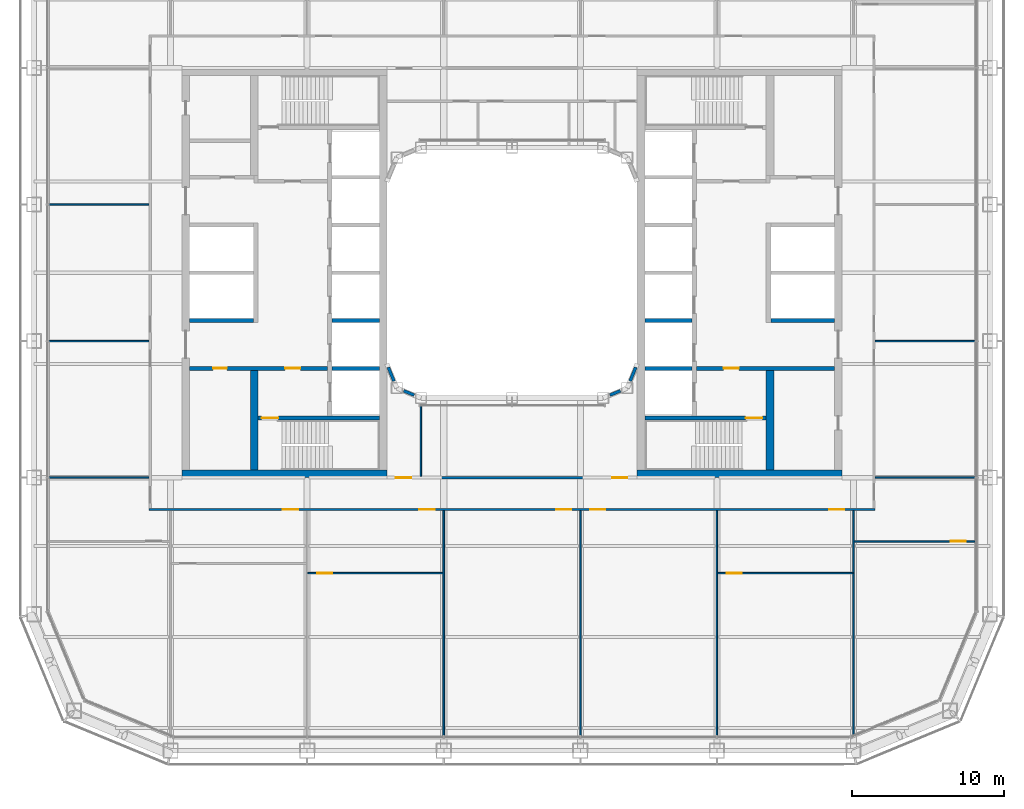
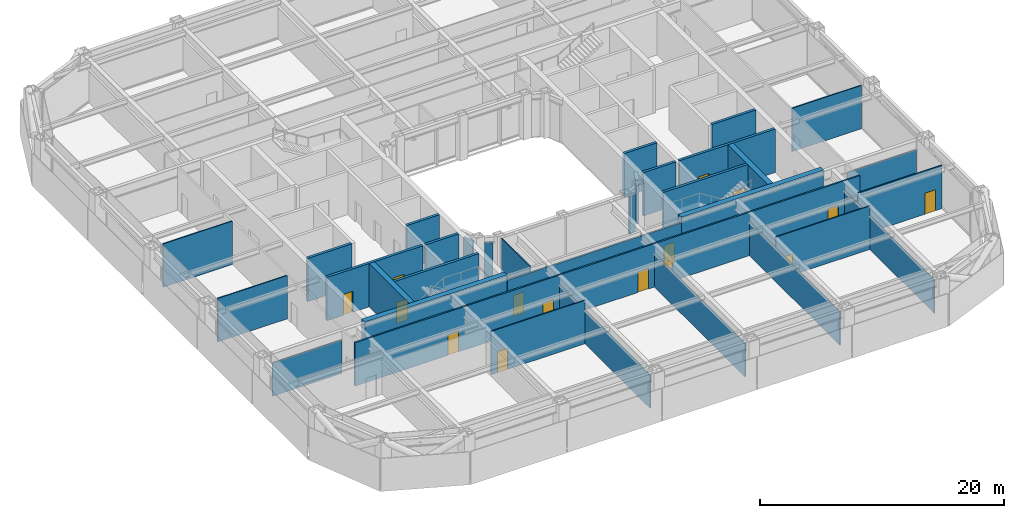
# One storey, part 12 of 25: 33 walls, 15 doors, 15 openings.
"""IFC4 building model written with IfcOpenShell, lengths in metres."""

from ifc_helpers import new_model, si_unit, direction, frame, frame_2d, origin, place, context, subcontext, project, spatial, rectangle, extrude, material, layer, layer_set, type_object, element, fill, save


model = new_model("IFC4")

# Units and contexts
model_context = context("Model", 3, precision=1e-05, world=origin(), true_north=direction((0.0, 1.0)))
body_context = subcontext(model_context, "Body", "Model", "MODEL_VIEW")
ifc_project = project(units=[si_unit("LENGTHUNIT", "METRE"), si_unit("AREAUNIT", "SQUARE_METRE"), si_unit("VOLUMEUNIT", "CUBIC_METRE"), si_unit("PLANEANGLEUNIT", "RADIAN"), si_unit("MASSUNIT", "GRAM", prefix="KILO")], contexts=[model_context])

# Site, building, storey
site_placement = place(None, origin())
site = spatial("IfcSite", under=ifc_project, at=site_placement, CompositionType="ELEMENT")
building_placement = place(site_placement, origin())
building = spatial("IfcBuilding", under=site, at=building_placement, Name="Siwar Civic Tower", CompositionType="ELEMENT")
storey_placement = place(building_placement, frame((0.0, 0.0, 58.199951171875)))
storey = spatial("IfcBuildingStorey", under=building, at=storey_placement, Name="L12", CompositionType="ELEMENT", Elevation=58.199951171875)

# Wall, openings, doors
ifc_material_1 = material(Name="Concrete C60/75", Category="concrete")
ifc_layer_1 = layer(ifc_material_1, 0.25)
ifc_layer_set_1 = layer_set([ifc_layer_1], Name="Concrete C60/75")
wall_type_1 = type_object("IfcWallType", Name="CORE-WALL-RC250", PredefinedType="SHEAR", material=ifc_layer_set_1)
wall_1_placement = place(storey_placement, frame((-12.14990234375, -6.300048828125, 0.0), z_axis=(0.0, 0.0, 1.0), x_axis=(-1.0, 0.0, 0.0)))
wall_1 = element("IfcWall", 1, at=wall_1_placement, inside=storey, type_object=wall_type_1, Name="Core wall W", PredefinedType="SHEAR", context=body_context, shape_type="SweptSolid", body=[
    extrude(rectangle(XDim=9.10009765625, YDim=0.25, at=frame_2d((4.550048828125, 0.0))), origin(), (0.0, 0.0, 1.0), 4.35009765625),
])
opening_1_placement = place(wall_1_placement, frame((1.800048828125, 0.0, 0.0)))
opening_1 = element("IfcOpeningElement", 2, at=opening_1_placement, cuts=wall_1, Name="Opening L12-CW02", PredefinedType="OPENING", context=body_context, shape_type="SweptSolid", body=[
    extrude(rectangle(XDim=1.0, YDim=2.10009765625, at=frame_2d((0.5, 1.050048828125))), frame((0.0, 0.135009765625, 0.0), z_axis=(0.0, -1.0, 0.0), x_axis=(1.0, 0.0, 0.0)), (0.0, 0.0, 1.0), 0.27001953125),
])
opening_2_placement = place(wall_1_placement, frame((6.64990234375, 0.0, 0.0)))
opening_2 = element("IfcOpeningElement", 3, at=opening_2_placement, cuts=wall_1, Name="Opening L12-CW15", PredefinedType="OPENING", context=body_context, shape_type="SweptSolid", body=[
    extrude(rectangle(XDim=0.89990234375, YDim=2.10009765625, at=frame_2d((0.449951171875, 1.050048828125))), frame((0.0, 0.135009765625, 0.0), z_axis=(0.0, -1.0, 0.0), x_axis=(1.0, 0.0, 0.0)), (0.0, 0.0, 1.0), 0.27001953125),
])
ifc_material_2 = material(Name="Steel door leaf", Category="steel")
door_type_1 = type_object("IfcDoorType", Name="CORE-DOOR-FD30S", OperationType="SINGLE_SWING_LEFT", PredefinedType="DOOR", material=ifc_material_2)
door_1_placement = place(opening_1_placement, origin())
door_1 = element("IfcDoor", 4, at=door_1_placement, inside=storey, type_object=door_type_1, Name="Service lobby door L12-CW02", OperationType="SINGLE_SWING_RIGHT", OverallHeight=2.10009765625, OverallWidth=1.0, PredefinedType="DOOR", context=body_context, shape_type="SweptSolid", body=[
    extrude(rectangle(XDim=1.0, YDim=2.10009765625, at=frame_2d((0.5, 1.050048828125))), frame((0.0, 0.02490234375, 0.0), z_axis=(0.0, -1.0, 0.0), x_axis=(1.0, 0.0, 0.0)), (0.0, 0.0, 1.0), 0.050048828125),
])
fill(opening_1, door_1)
ifc_material_3 = material(Name="Steel door leaf", Category="steel")
door_type_2 = type_object("IfcDoorType", Name="CORE-DOOR-ROOM", OperationType="SINGLE_SWING_LEFT", PredefinedType="DOOR", material=ifc_material_3)
door_2_placement = place(opening_2_placement, origin())
door_2 = element("IfcDoor", 5, at=door_2_placement, inside=storey, type_object=door_type_2, Name="Core room door L12-CW15", OperationType="SINGLE_SWING_RIGHT", OverallHeight=2.10009765625, OverallWidth=0.89990234375, PredefinedType="DOOR", context=body_context, shape_type="SweptSolid", body=[
    extrude(rectangle(XDim=0.89990234375, YDim=2.10009765625, at=frame_2d((0.449951171875, 1.050048828125))), frame((0.0, 0.02490234375, 0.0), z_axis=(0.0, -1.0, 0.0), x_axis=(1.0, 0.0, 0.0)), (0.0, 0.0, 1.0), 0.050048828125),
])
fill(opening_2, door_2)

# Walls
wall_2_placement = place(storey_placement, frame((-17.050048828125, -3.14990234375, 0.0), z_axis=(0.0, 0.0, 1.0), x_axis=(-1.0, 0.0, 0.0)))
element("IfcWall", 6, at=wall_2_placement, inside=storey, type_object=wall_type_1, Name="Core wall W", PredefinedType="SHEAR", context=body_context, shape_type="SweptSolid", body=[
    extrude(rectangle(XDim=4.199951171875, YDim=0.25, at=frame_2d((2.10009765625, 0.0))), origin(), (0.0, 0.0, 1.0), 4.35009765625),
])
for number, where, z_axis, x_axis, name in (
    (7, (-8.75, -3.14990234375, 0.0), (0.0, 0.0, 1.0), (-1.0, 0.0, 0.0), "Core wall W"),
    (8, (-8.75, -6.300048828125, 0.0), (0.0, 0.0, 1.0), (-1.0, 0.0, 0.0), "Core wall W"),
):
    element("IfcWall", number, at=place(storey_placement, frame(where, z_axis=z_axis, x_axis=x_axis)), inside=storey, type_object=wall_type_1, Name=name, PredefinedType="SHEAR", context=body_context, shape_type="SweptSolid", body=[
        extrude(rectangle(XDim=3.10009765625, YDim=0.25, at=frame_2d((1.550048828125, 0.0))), origin(), (0.0, 0.0, 1.0), 4.35009765625),
    ])

# Wall, opening, door
wall_3_placement = place(storey_placement, frame((-8.75, -9.574951171875, 0.0), z_axis=(0.0, 0.0, 1.0), x_axis=(-1.0, 0.0, 0.0)))
wall_3 = element("IfcWall", 9, at=wall_3_placement, inside=storey, type_object=wall_type_1, Name="Core wall W", PredefinedType="SHEAR", context=body_context, shape_type="SweptSolid", body=[
    extrude(rectangle(XDim=8.0, YDim=0.25, at=frame_2d((4.0, 0.0))), origin(), (0.0, 0.0, 1.0), 4.35009765625),
])
opening_3_placement = place(wall_3_placement, frame((6.64990234375, 0.0, 0.0)))
opening_3 = element("IfcOpeningElement", 10, at=opening_3_placement, cuts=wall_3, Name="Opening L12-CW04", PredefinedType="OPENING", context=body_context, shape_type="SweptSolid", body=[
    extrude(rectangle(XDim=1.10009765625, YDim=2.10009765625, at=frame_2d((0.550048828125, 1.050048828125))), frame((0.0, 0.135009765625, 0.0), z_axis=(0.0, -1.0, 0.0), x_axis=(1.0, 0.0, 0.0)), (0.0, 0.0, 1.0), 0.27001953125),
])
ifc_material_4 = material(Name="Steel door leaf", Category="steel")
door_type_3 = type_object("IfcDoorType", Name="CORE-DOOR-FD60S", OperationType="SINGLE_SWING_LEFT", PredefinedType="DOOR", material=ifc_material_4)
door_3_placement = place(opening_3_placement, origin())
door_3 = element("IfcDoor", 11, at=door_3_placement, inside=storey, type_object=door_type_3, Name="Stair door L12-CW04", OperationType="SINGLE_SWING_LEFT", OverallHeight=2.10009765625, OverallWidth=1.10009765625, PredefinedType="DOOR", context=body_context, shape_type="SweptSolid", body=[
    extrude(rectangle(XDim=1.10009765625, YDim=2.10009765625, at=frame_2d((0.550048828125, 1.050048828125))), frame((0.0, 0.02490234375, 0.0), z_axis=(0.0, -1.0, 0.0), x_axis=(1.0, 0.0, 0.0)), (0.0, 0.0, 1.0), 0.050048828125),
])
fill(opening_3, door_3)

wall_4_placement = place(storey_placement, frame((12.14990234375, -6.300048828125, 0.0), z_axis=(0.0, 0.0, 1.0), x_axis=(1.0, 0.0, 0.0)))
wall_4 = element("IfcWall", 12, at=wall_4_placement, inside=storey, type_object=wall_type_1, Name="Core wall E", PredefinedType="SHEAR", context=body_context, shape_type="SweptSolid", body=[
    extrude(rectangle(XDim=9.10009765625, YDim=0.25, at=frame_2d((4.550048828125, 0.0))), origin(), (0.0, 0.0, 1.0), 4.35009765625),
])
opening_4_placement = place(wall_4_placement, frame((1.800048828125, 0.0, 0.0)))
opening_4 = element("IfcOpeningElement", 13, at=opening_4_placement, cuts=wall_4, Name="Opening L12-CE02", PredefinedType="OPENING", context=body_context, shape_type="SweptSolid", body=[
    extrude(rectangle(XDim=1.0, YDim=2.10009765625, at=frame_2d((0.5, 1.050048828125))), frame((0.0, 0.135009765625, 0.0), z_axis=(0.0, -1.0, 0.0), x_axis=(1.0, 0.0, 0.0)), (0.0, 0.0, 1.0), 0.27001953125),
])
door_4_placement = place(opening_4_placement, origin())
door_4 = element("IfcDoor", 14, at=door_4_placement, inside=storey, type_object=door_type_1, Name="Service lobby door L12-CE02", OperationType="SINGLE_SWING_LEFT", OverallHeight=2.10009765625, OverallWidth=1.0, PredefinedType="DOOR", context=body_context, shape_type="SweptSolid", body=[
    extrude(rectangle(XDim=1.0, YDim=2.10009765625, at=frame_2d((0.5, 1.050048828125))), frame((0.0, 0.02490234375, 0.0), z_axis=(0.0, -1.0, 0.0), x_axis=(1.0, 0.0, 0.0)), (0.0, 0.0, 1.0), 0.050048828125),
])
fill(opening_4, door_4)

# Walls
wall_5_placement = place(storey_placement, frame((17.050048828125, -3.14990234375, 0.0), z_axis=(0.0, 0.0, 1.0), x_axis=(1.0, 0.0, 0.0)))
element("IfcWall", 15, at=wall_5_placement, inside=storey, type_object=wall_type_1, Name="Core wall E", PredefinedType="SHEAR", context=body_context, shape_type="SweptSolid", body=[
    extrude(rectangle(XDim=4.199951171875, YDim=0.25, at=frame_2d((2.10009765625, 0.0))), origin(), (0.0, 0.0, 1.0), 4.35009765625),
])
for number, where, z_axis, x_axis, name in (
    (16, (8.75, -3.14990234375, 0.0), (0.0, 0.0, 1.0), (1.0, 0.0, 0.0), "Core wall E"),
    (17, (8.75, -6.300048828125, 0.0), (0.0, 0.0, 1.0), (1.0, 0.0, 0.0), "Core wall E"),
):
    element("IfcWall", number, at=place(storey_placement, frame(where, z_axis=z_axis, x_axis=x_axis)), inside=storey, type_object=wall_type_1, Name=name, PredefinedType="SHEAR", context=body_context, shape_type="SweptSolid", body=[
        extrude(rectangle(XDim=3.10009765625, YDim=0.25, at=frame_2d((1.550048828125, 0.0))), origin(), (0.0, 0.0, 1.0), 4.35009765625),
    ])

# Wall, opening, door
wall_6_placement = place(storey_placement, frame((8.75, -9.574951171875, 0.0), z_axis=(0.0, 0.0, 1.0), x_axis=(1.0, 0.0, 0.0)))
wall_6 = element("IfcWall", 18, at=wall_6_placement, inside=storey, type_object=wall_type_1, Name="Core wall E", PredefinedType="SHEAR", context=body_context, shape_type="SweptSolid", body=[
    extrude(rectangle(XDim=8.0, YDim=0.25, at=frame_2d((4.0, 0.0))), origin(), (0.0, 0.0, 1.0), 4.35009765625),
])
opening_5_placement = place(wall_6_placement, frame((6.64990234375, 0.0, 0.0)))
opening_5 = element("IfcOpeningElement", 19, at=opening_5_placement, cuts=wall_6, Name="Opening L12-CE04", PredefinedType="OPENING", context=body_context, shape_type="SweptSolid", body=[
    extrude(rectangle(XDim=1.10009765625, YDim=2.10009765625, at=frame_2d((0.550048828125, 1.050048828125))), frame((0.0, 0.135009765625, 0.0), z_axis=(0.0, -1.0, 0.0), x_axis=(1.0, 0.0, 0.0)), (0.0, 0.0, 1.0), 0.27001953125),
])
door_5_placement = place(opening_5_placement, origin())
door_5 = element("IfcDoor", 20, at=door_5_placement, inside=storey, type_object=door_type_3, Name="Stair door L12-CE04", OperationType="SINGLE_SWING_RIGHT", OverallHeight=2.10009765625, OverallWidth=1.10009765625, PredefinedType="DOOR", context=body_context, shape_type="SweptSolid", body=[
    extrude(rectangle(XDim=1.10009765625, YDim=2.10009765625, at=frame_2d((0.550048828125, 1.050048828125))), frame((0.0, 0.02490234375, 0.0), z_axis=(0.0, -1.0, 0.0), x_axis=(1.0, 0.0, 0.0)), (0.0, 0.0, 1.0), 0.050048828125),
])
fill(opening_5, door_5)

# Walls
ifc_material_5 = material(Name="Concrete C60/75", Category="concrete")
ifc_layer_2 = layer(ifc_material_5, 0.5)
ifc_layer_set_2 = layer_set([ifc_layer_2], Name="Concrete C60/75")
wall_type_2 = type_object("IfcWallType", Name="CORE-WALL-RC500", PredefinedType="SHEAR", material=ifc_layer_set_2)
wall_7_placement = place(storey_placement, frame((-17.0, -13.0, 0.0), z_axis=(0.0, 0.0, 1.0), x_axis=(0.0, 1.0, 0.0)))
element("IfcWall", 21, at=wall_7_placement, inside=storey, type_object=wall_type_2, Name="Core wall W", PredefinedType="SHEAR", context=body_context, shape_type="SweptSolid", body=[
    extrude(rectangle(XDim=6.574951171875, YDim=0.5, at=frame_2d((3.28759765625, 0.0))), origin(), (0.0, 0.0, 1.0), 4.35009765625),
])
wall_8_placement = place(storey_placement, frame((-8.25, -13.25, 0.0), z_axis=(0.0, 0.0, 1.0), x_axis=(-1.0, 0.0, 0.0)))
element("IfcWall", 22, at=wall_8_placement, inside=storey, type_object=wall_type_2, Name="Core wall W", PredefinedType="SHEAR", context=body_context, shape_type="SweptSolid", body=[
    extrude(rectangle(XDim=13.5, YDim=0.5, at=frame_2d((6.75, 0.0))), origin(), (0.0, 0.0, 1.0), 4.35009765625),
])
wall_9_placement = place(storey_placement, frame((17.0, -13.0, 0.0), z_axis=(0.0, 0.0, 1.0), x_axis=(0.0, 1.0, 0.0)))
element("IfcWall", 23, at=wall_9_placement, inside=storey, type_object=wall_type_2, Name="Core wall E", PredefinedType="SHEAR", context=body_context, shape_type="SweptSolid", body=[
    extrude(rectangle(XDim=6.574951171875, YDim=0.5, at=frame_2d((3.28759765625, 0.0))), origin(), (0.0, 0.0, 1.0), 4.35009765625),
])
wall_10_placement = place(storey_placement, frame((8.25, -13.25, 0.0), z_axis=(0.0, 0.0, 1.0), x_axis=(1.0, 0.0, 0.0)))
element("IfcWall", 24, at=wall_10_placement, inside=storey, type_object=wall_type_2, Name="Core wall E", PredefinedType="SHEAR", context=body_context, shape_type="SweptSolid", body=[
    extrude(rectangle(XDim=13.5, YDim=0.5, at=frame_2d((6.75, 0.0))), origin(), (0.0, 0.0, 1.0), 4.35009765625),
])

# Wall, openings, doors
ifc_material_6 = material(Name="Gypsum board on steel studs", Category="steel")
ifc_layer_3 = layer(ifc_material_6, 0.14990234375)
ifc_layer_set_3 = layer_set([ifc_layer_3], Name="Gypsum board on steel studs")
wall_type_3 = type_object("IfcWallType", Name="CORRIDOR PARTITION 150 EI 30", PredefinedType="PARTITIONING", material=ifc_layer_set_3)
wall_11_placement = place(storey_placement, frame((-23.925048828125, -15.60009765625, 0.0), z_axis=(0.0, 0.0, 1.0), x_axis=(1.0, 0.0, 0.0)))
wall_11 = element("IfcWall", 25, at=wall_11_placement, inside=storey, type_object=wall_type_3, Name="L12/wall/P06", PredefinedType="PARTITIONING", context=body_context, shape_type="SweptSolid", body=[
    extrude(rectangle(XDim=47.85009765625, YDim=0.14990234375, at=frame_2d((23.925048828125, 0.0))), origin(), (0.0, 0.0, 1.0), 4.35009765625),
])
opening_6_placement = place(wall_11_placement, frame((8.824951171875, 0.0, 0.0)))
opening_6 = element("IfcOpeningElement", 26, at=opening_6_placement, cuts=wall_11, Name="Opening D1", PredefinedType="OPENING", context=body_context, shape_type="SweptSolid", body=[
    extrude(rectangle(XDim=1.0, YDim=2.10009765625, at=frame_2d((0.5, 1.050048828125))), frame((0.0, 0.0849609375, 0.0), z_axis=(0.0, -1.0, 0.0), x_axis=(1.0, 0.0, 0.0)), (0.0, 0.0, 1.0), 0.169921875),
])
opening_7_placement = place(wall_11_placement, frame((17.824951171875, 0.0, 0.0)))
opening_7 = element("IfcOpeningElement", 27, at=opening_7_placement, cuts=wall_11, Name="Opening D1", PredefinedType="OPENING", context=body_context, shape_type="SweptSolid", body=[
    extrude(rectangle(XDim=1.0, YDim=2.10009765625, at=frame_2d((0.5, 1.050048828125))), frame((0.0, 0.0849609375, 0.0), z_axis=(0.0, -1.0, 0.0), x_axis=(1.0, 0.0, 0.0)), (0.0, 0.0, 1.0), 0.169921875),
])
opening_8_placement = place(wall_11_placement, frame((26.824951171875, 0.0, 0.0)))
opening_8 = element("IfcOpeningElement", 28, at=opening_8_placement, cuts=wall_11, Name="Opening D1", PredefinedType="OPENING", context=body_context, shape_type="SweptSolid", body=[
    extrude(rectangle(XDim=1.0, YDim=2.10009765625, at=frame_2d((0.5, 1.050048828125))), frame((0.0, 0.0849609375, 0.0), z_axis=(0.0, -1.0, 0.0), x_axis=(1.0, 0.0, 0.0)), (0.0, 0.0, 1.0), 0.169921875),
])
opening_9_placement = place(wall_11_placement, frame((29.074951171875, 0.0, 0.0)))
opening_9 = element("IfcOpeningElement", 29, at=opening_9_placement, cuts=wall_11, Name="Opening D1", PredefinedType="OPENING", context=body_context, shape_type="SweptSolid", body=[
    extrude(rectangle(XDim=1.0, YDim=2.10009765625, at=frame_2d((0.5, 1.050048828125))), frame((0.0, 0.0849609375, 0.0), z_axis=(0.0, -1.0, 0.0), x_axis=(1.0, 0.0, 0.0)), (0.0, 0.0, 1.0), 0.169921875),
])
opening_10_placement = place(wall_11_placement, frame((44.824951171875, 0.0, 0.0)))
opening_10 = element("IfcOpeningElement", 30, at=opening_10_placement, cuts=wall_11, Name="Opening D1", PredefinedType="OPENING", context=body_context, shape_type="SweptSolid", body=[
    extrude(rectangle(XDim=1.0, YDim=2.10009765625, at=frame_2d((0.5, 1.050048828125))), frame((0.0, 0.0849609375, 0.0), z_axis=(0.0, -1.0, 0.0), x_axis=(1.0, 0.0, 0.0)), (0.0, 0.0, 1.0), 0.169921875),
])
ifc_material_7 = material(Name="Timber, painted", Category="wood")
door_type_4 = type_object("IfcDoorType", Name="DOOR 1000 X 2100 FD30", OperationType="SINGLE_SWING_LEFT", PredefinedType="DOOR", material=ifc_material_7)
door_6_placement = place(opening_6_placement, origin())
door_6 = element("IfcDoor", 31, at=door_6_placement, inside=storey, type_object=door_type_4, Name="L12-D12", OperationType="SINGLE_SWING_RIGHT", OverallHeight=2.10009765625, OverallWidth=1.0, PredefinedType="DOOR", context=body_context, shape_type="SweptSolid", body=[
    extrude(rectangle(XDim=1.0, YDim=2.10009765625, at=frame_2d((0.5, 1.050048828125))), frame((0.0, 0.02490234375, 0.0), z_axis=(0.0, -1.0, 0.0), x_axis=(1.0, 0.0, 0.0)), (0.0, 0.0, 1.0), 0.050048828125),
])
fill(opening_6, door_6)
door_7_placement = place(opening_7_placement, origin())
door_7 = element("IfcDoor", 32, at=door_7_placement, inside=storey, type_object=door_type_4, Name="L12-D14", OperationType="SINGLE_SWING_RIGHT", OverallHeight=2.10009765625, OverallWidth=1.0, PredefinedType="DOOR", context=body_context, shape_type="SweptSolid", body=[
    extrude(rectangle(XDim=1.0, YDim=2.10009765625, at=frame_2d((0.5, 1.050048828125))), frame((0.0, 0.02490234375, 0.0), z_axis=(0.0, -1.0, 0.0), x_axis=(1.0, 0.0, 0.0)), (0.0, 0.0, 1.0), 0.050048828125),
])
fill(opening_7, door_7)
door_8_placement = place(opening_8_placement, origin())
door_8 = element("IfcDoor", 33, at=door_8_placement, inside=storey, type_object=door_type_4, Name="L12-D16", OperationType="SINGLE_SWING_RIGHT", OverallHeight=2.10009765625, OverallWidth=1.0, PredefinedType="DOOR", context=body_context, shape_type="SweptSolid", body=[
    extrude(rectangle(XDim=1.0, YDim=2.10009765625, at=frame_2d((0.5, 1.050048828125))), frame((0.0, 0.02490234375, 0.0), z_axis=(0.0, -1.0, 0.0), x_axis=(1.0, 0.0, 0.0)), (0.0, 0.0, 1.0), 0.050048828125),
])
fill(opening_8, door_8)
door_9_placement = place(opening_9_placement, origin())
door_9 = element("IfcDoor", 34, at=door_9_placement, inside=storey, type_object=door_type_4, Name="L12-D17", OperationType="SINGLE_SWING_LEFT", OverallHeight=2.10009765625, OverallWidth=1.0, PredefinedType="DOOR", context=body_context, shape_type="SweptSolid", body=[
    extrude(rectangle(XDim=1.0, YDim=2.10009765625, at=frame_2d((0.5, 1.050048828125))), frame((0.0, 0.02490234375, 0.0), z_axis=(0.0, -1.0, 0.0), x_axis=(1.0, 0.0, 0.0)), (0.0, 0.0, 1.0), 0.050048828125),
])
fill(opening_9, door_9)
door_10_placement = place(opening_10_placement, origin())
door_10 = element("IfcDoor", 35, at=door_10_placement, inside=storey, type_object=door_type_4, Name="L12-D18", OperationType="SINGLE_SWING_RIGHT", OverallHeight=2.10009765625, OverallWidth=1.0, PredefinedType="DOOR", context=body_context, shape_type="SweptSolid", body=[
    extrude(rectangle(XDim=1.0, YDim=2.10009765625, at=frame_2d((0.5, 1.050048828125))), frame((0.0, 0.02490234375, 0.0), z_axis=(0.0, -1.0, 0.0), x_axis=(1.0, 0.0, 0.0)), (0.0, 0.0, 1.0), 0.050048828125),
])
fill(opening_10, door_10)

wall_12_placement = place(storey_placement, frame((-8.25, -13.5, 0.0), z_axis=(0.0, 0.0, 1.0), x_axis=(1.0, 0.0, 0.0)))
wall_12 = element("IfcWall", 36, at=wall_12_placement, inside=storey, type_object=wall_type_3, Name="L12/wall/P09", PredefinedType="PARTITIONING", context=body_context, shape_type="SweptSolid", body=[
    extrude(rectangle(XDim=16.5, YDim=0.14990234375, at=frame_2d((8.25, 0.0))), origin(), (0.0, 0.0, 1.0), 3.85009765625),
])
opening_11_placement = place(wall_12_placement, frame((0.60009765625, 0.0, 0.0)))
opening_11 = element("IfcOpeningElement", 37, at=opening_11_placement, cuts=wall_12, Name="Opening D3", PredefinedType="OPENING", context=body_context, shape_type="SweptSolid", body=[
    extrude(rectangle(XDim=1.0, YDim=2.10009765625, at=frame_2d((0.5, 1.050048828125))), frame((0.0, 0.0849609375, 0.0), z_axis=(0.0, -1.0, 0.0), x_axis=(1.0, 0.0, 0.0)), (0.0, 0.0, 1.0), 0.169921875),
])
opening_12_placement = place(wall_12_placement, frame((14.85009765625, 0.0, 0.0)))
opening_12 = element("IfcOpeningElement", 38, at=opening_12_placement, cuts=wall_12, Name="Opening D1", PredefinedType="OPENING", context=body_context, shape_type="SweptSolid", body=[
    extrude(rectangle(XDim=1.0, YDim=2.10009765625, at=frame_2d((0.5, 1.050048828125))), frame((0.0, 0.0849609375, 0.0), z_axis=(0.0, -1.0, 0.0), x_axis=(1.0, 0.0, 0.0)), (0.0, 0.0, 1.0), 0.169921875),
])
door_11_placement = place(opening_12_placement, origin())
door_11 = element("IfcDoor", 39, at=door_11_placement, inside=storey, type_object=door_type_4, Name="L12-D39", OperationType="SINGLE_SWING_LEFT", OverallHeight=2.10009765625, OverallWidth=1.0, PredefinedType="DOOR", context=body_context, shape_type="SweptSolid", body=[
    extrude(rectangle(XDim=1.0, YDim=2.10009765625, at=frame_2d((0.5, 1.050048828125))), frame((0.0, 0.02490234375, 0.0), z_axis=(0.0, -1.0, 0.0), x_axis=(1.0, 0.0, 0.0)), (0.0, 0.0, 1.0), 0.050048828125),
])
fill(opening_12, door_11)
ifc_material_8 = material(Name="Timber, painted", Category="wood")
door_type_5 = type_object("IfcDoorType", Name="DOOR 1000 X 2100 WC", OperationType="SINGLE_SWING_LEFT", PredefinedType="DOOR", material=ifc_material_8)
door_12_placement = place(opening_11_placement, origin())
door_12 = element("IfcDoor", 40, at=door_12_placement, inside=storey, type_object=door_type_5, Name="L12-D38", OperationType="SINGLE_SWING_RIGHT", OverallHeight=2.10009765625, OverallWidth=1.0, PredefinedType="DOOR", context=body_context, shape_type="SweptSolid", body=[
    extrude(rectangle(XDim=1.0, YDim=2.10009765625, at=frame_2d((0.5, 1.050048828125))), frame((0.0, 0.02490234375, 0.0), z_axis=(0.0, -1.0, 0.0), x_axis=(1.0, 0.0, 0.0)), (0.0, 0.0, 1.0), 0.050048828125),
])
fill(opening_11, door_12)

# Walls
ifc_material_9 = material(Name="Aluminium clad insulated panel", Category="aluminium")
ifc_layer_4 = layer(ifc_material_9, 0.199951171875)
ifc_layer_set_4 = layer_set([ifc_layer_4], Name="Aluminium clad insulated panel")
wall_type_4 = type_object("IfcWallType", Name="ENV-WALL-WELL", PredefinedType="STANDARD", material=ifc_layer_set_4)
wall_13_placement = place(storey_placement, frame((6.45263671875, -8.0625, 0.0), z_axis=(0.0, 0.0, 1.0), x_axis=(0.923940677943, 0.382535780864, 0.0)))
element("IfcWall", 41, at=wall_13_placement, inside=storey, type_object=wall_type_4, Name="Light well corner wall SE1", PredefinedType="STANDARD", context=body_context, shape_type="SweptSolid", body=[
    extrude(rectangle(XDim=0.7421875, YDim=0.199951171875, at=frame_2d((0.37109375, 0.0))), origin(), (0.0, 0.0, 1.0), 3.72998046875),
])
for number, where, z_axis, x_axis, name in (
    (42, (7.778564453125, -7.138427734375, 0.0), (0.0, 0.0, 1.0), (0.382549378284, 0.923935048136, 0.0), "Light well corner wall SE2"),
    (43, (-8.154296875, -6.23095703125, 0.0), (0.0, 0.0, 1.0), (0.382549378284, -0.923935048136, 0.0), "Light well corner wall SW1"),
):
    element("IfcWall", number, at=place(storey_placement, frame(where, z_axis=z_axis, x_axis=x_axis)), inside=storey, type_object=wall_type_4, Name=name, PredefinedType="STANDARD", context=body_context, shape_type="SweptSolid", body=[
        extrude(rectangle(XDim=0.982177734375, YDim=0.199951171875, at=frame_2d((0.4912109375, 0.0))), origin(), (0.0, 0.0, 1.0), 3.72998046875),
    ])
wall_14_placement = place(storey_placement, frame((-7.138427734375, -7.778564453125, 0.0), z_axis=(0.0, 0.0, 1.0), x_axis=(0.923940677943, -0.382535780864, 0.0)))
element("IfcWall", 44, at=wall_14_placement, inside=storey, type_object=wall_type_4, Name="Light well corner wall SW2", PredefinedType="STANDARD", context=body_context, shape_type="SweptSolid", body=[
    extrude(rectangle(XDim=0.7421875, YDim=0.199951171875, at=frame_2d((0.37109375, 0.0))), origin(), (0.0, 0.0, 1.0), 3.72998046875),
])

# Wall, opening, door
ifc_material_10 = material(Name="Gypsum board on steel studs", Category="steel")
ifc_layer_5 = layer(ifc_material_10, 0.10009765625)
ifc_layer_set_5 = layer_set([ifc_layer_5], Name="Gypsum board on steel studs")
wall_type_5 = type_object("IfcWallType", Name="PARTITION 100 GYPSUM", PredefinedType="PARTITIONING", material=ifc_layer_set_5)
wall_15_placement = place(storey_placement, frame((-13.449951171875, -19.800048828125, 0.0), z_axis=(0.0, 0.0, 1.0), x_axis=(1.0, 0.0, 0.0)))
wall_15 = element("IfcWall", 45, at=wall_15_placement, inside=storey, type_object=wall_type_5, Name="L12/wall/P01", PredefinedType="PARTITIONING", context=body_context, shape_type="SweptSolid", body=[
    extrude(rectangle(XDim=8.89990234375, YDim=0.10009765625, at=frame_2d((4.449951171875, 0.0))), origin(), (0.0, 0.0, 1.0), 4.35009765625),
])
opening_13_placement = place(wall_15_placement, frame((0.60009765625, 0.0, 0.0)))
opening_13 = element("IfcOpeningElement", 46, at=opening_13_placement, cuts=wall_15, Name="Opening D2", PredefinedType="OPENING", context=body_context, shape_type="SweptSolid", body=[
    extrude(rectangle(XDim=1.0, YDim=2.10009765625, at=frame_2d((0.5, 1.050048828125))), frame((0.0, 0.06005859375, 0.0), z_axis=(0.0, -1.0, 0.0), x_axis=(1.0, 0.0, 0.0)), (0.0, 0.0, 1.0), 0.1201171875),
])
ifc_material_11 = material(Name="Timber, painted", Category="wood")
door_type_6 = type_object("IfcDoorType", Name="DOOR 1000 X 2100", OperationType="SINGLE_SWING_LEFT", PredefinedType="DOOR", material=ifc_material_11)
door_13_placement = place(opening_13_placement, origin())
door_13 = element("IfcDoor", 47, at=door_13_placement, inside=storey, type_object=door_type_6, Name="L12-D15", OperationType="SINGLE_SWING_LEFT", OverallHeight=2.10009765625, OverallWidth=1.0, PredefinedType="DOOR", context=body_context, shape_type="SweptSolid", body=[
    extrude(rectangle(XDim=1.0, YDim=2.10009765625, at=frame_2d((0.5, 1.050048828125))), frame((0.0, 0.02490234375, 0.0), z_axis=(0.0, -1.0, 0.0), x_axis=(1.0, 0.0, 0.0)), (0.0, 0.0, 1.0), 0.050048828125),
])
fill(opening_13, door_13)

wall_16_placement = place(storey_placement, frame((13.550048828125, -19.800048828125, 0.0), z_axis=(0.0, 0.0, 1.0), x_axis=(1.0, 0.0, 0.0)))
wall_16 = element("IfcWall", 48, at=wall_16_placement, inside=storey, type_object=wall_type_5, Name="L12/wall/P02", PredefinedType="PARTITIONING", context=body_context, shape_type="SweptSolid", body=[
    extrude(rectangle(XDim=8.89990234375, YDim=0.10009765625, at=frame_2d((4.449951171875, 0.0))), origin(), (0.0, 0.0, 1.0), 4.35009765625),
])
opening_14_placement = place(wall_16_placement, frame((0.60009765625, 0.0, 0.0)))
opening_14 = element("IfcOpeningElement", 49, at=opening_14_placement, cuts=wall_16, Name="Opening D2", PredefinedType="OPENING", context=body_context, shape_type="SweptSolid", body=[
    extrude(rectangle(XDim=1.0, YDim=2.10009765625, at=frame_2d((0.5, 1.050048828125))), frame((0.0, 0.06005859375, 0.0), z_axis=(0.0, -1.0, 0.0), x_axis=(1.0, 0.0, 0.0)), (0.0, 0.0, 1.0), 0.1201171875),
])
door_14_placement = place(opening_14_placement, origin())
door_14 = element("IfcDoor", 50, at=door_14_placement, inside=storey, type_object=door_type_6, Name="L12-D19", OperationType="SINGLE_SWING_LEFT", OverallHeight=2.10009765625, OverallWidth=1.0, PredefinedType="DOOR", context=body_context, shape_type="SweptSolid", body=[
    extrude(rectangle(XDim=1.0, YDim=2.10009765625, at=frame_2d((0.5, 1.050048828125))), frame((0.0, 0.02490234375, 0.0), z_axis=(0.0, -1.0, 0.0), x_axis=(1.0, 0.0, 0.0)), (0.0, 0.0, 1.0), 0.050048828125),
])
fill(opening_14, door_14)

wall_17_placement = place(storey_placement, frame((22.550048828125, -17.699951171875, 0.0), z_axis=(0.0, 0.0, 1.0), x_axis=(1.0, 0.0, 0.0)))
wall_17 = element("IfcWall", 51, at=wall_17_placement, inside=storey, type_object=wall_type_5, Name="L12/wall/P05", PredefinedType="PARTITIONING", context=body_context, shape_type="SweptSolid", body=[
    extrude(rectangle(XDim=7.9599609375, YDim=0.10009765625, at=frame_2d((3.97998046875, 0.0))), origin(), (0.0, 0.0, 1.0), 4.35009765625),
])
opening_15_placement = place(wall_17_placement, frame((6.35009765625, 0.0, 0.0)))
opening_15 = element("IfcOpeningElement", 52, at=opening_15_placement, cuts=wall_17, Name="Opening D2", PredefinedType="OPENING", context=body_context, shape_type="SweptSolid", body=[
    extrude(rectangle(XDim=1.0, YDim=2.10009765625, at=frame_2d((0.5, 1.050048828125))), frame((0.0, 0.06005859375, 0.0), z_axis=(0.0, -1.0, 0.0), x_axis=(1.0, 0.0, 0.0)), (0.0, 0.0, 1.0), 0.1201171875),
])
door_15_placement = place(opening_15_placement, origin())
door_15 = element("IfcDoor", 53, at=door_15_placement, inside=storey, type_object=door_type_6, Name="L12-D26", OperationType="SINGLE_SWING_RIGHT", OverallHeight=2.10009765625, OverallWidth=1.0, PredefinedType="DOOR", context=body_context, shape_type="SweptSolid", body=[
    extrude(rectangle(XDim=1.0, YDim=2.10009765625, at=frame_2d((0.5, 1.050048828125))), frame((0.0, 0.02490234375, 0.0), z_axis=(0.0, -1.0, 0.0), x_axis=(1.0, 0.0, 0.0)), (0.0, 0.0, 1.0), 0.050048828125),
])
fill(opening_15, door_15)

# Walls
for number, where, z_axis, x_axis, name in (
    (54, (-30.510009765625, -13.5, 0.0), (0.0, 0.0, 1.0), (1.0, 0.0, 0.0), "L12/wall/P07"),
    (55, (23.925048828125, -13.5, 0.0), (0.0, 0.0, 1.0), (1.0, 0.0, 0.0), "L12/wall/P08"),
):
    element("IfcWall", number, at=place(storey_placement, frame(where, z_axis=z_axis, x_axis=x_axis)), inside=storey, type_object=wall_type_5, Name=name, PredefinedType="PARTITIONING", context=body_context, shape_type="SweptSolid", body=[
        extrude(rectangle(XDim=6.5849609375, YDim=0.10009765625, at=frame_2d((3.29248046875, 0.0))), origin(), (0.0, 0.0, 1.0), 3.35009765625),
    ])
for number, where, z_axis, x_axis, name in (
    (56, (-30.510009765625, -4.5, 0.0), (0.0, 0.0, 1.0), (1.0, 0.0, 0.0), "L12/wall/P10"),
    (57, (23.925048828125, -4.5, 0.0), (0.0, 0.0, 1.0), (1.0, 0.0, 0.0), "L12/wall/P11"),
    (58, (-30.510009765625, 4.5, 0.0), (0.0, 0.0, 1.0), (1.0, 0.0, 0.0), "L12/wall/P12"),
):
    element("IfcWall", number, at=place(storey_placement, frame(where, z_axis=z_axis, x_axis=x_axis)), inside=storey, type_object=wall_type_5, Name=name, PredefinedType="PARTITIONING", context=body_context, shape_type="SweptSolid", body=[
        extrude(rectangle(XDim=6.5849609375, YDim=0.10009765625, at=frame_2d((3.29248046875, 0.0))), origin(), (0.0, 0.0, 1.0), 4.35009765625),
    ])
wall_18_placement = place(storey_placement, frame((-6.0, -13.425048828125, 0.0), z_axis=(0.0, 0.0, 1.0), x_axis=(0.0, 1.0, 0.0)))
element("IfcWall", 59, at=wall_18_placement, inside=storey, type_object=wall_type_5, Name="L12/wall/P30", PredefinedType="PARTITIONING", context=body_context, shape_type="SweptSolid", body=[
    extrude(rectangle(XDim=4.72509765625, YDim=0.10009765625, at=frame_2d((2.362548828125, 0.0))), origin(), (0.0, 0.0, 1.0), 4.35009765625),
])
for number, where, z_axis, x_axis, name in (
    (60, (-4.5, -30.510009765625, 0.0), (0.0, 0.0, 1.0), (0.0, 1.0, 0.0), "L12/wall/P31"),
    (61, (4.5, -30.510009765625, 0.0), (0.0, 0.0, 1.0), (0.0, 1.0, 0.0), "L12/wall/P35"),
    (62, (13.5, -30.510009765625, 0.0), (0.0, 0.0, 1.0), (0.0, 1.0, 0.0), "L12/wall/P39"),
):
    element("IfcWall", number, at=place(storey_placement, frame(where, z_axis=z_axis, x_axis=x_axis)), inside=storey, type_object=wall_type_5, Name=name, PredefinedType="PARTITIONING", context=body_context, shape_type="SweptSolid", body=[
        extrude(rectangle(XDim=14.8349609375, YDim=0.10009765625, at=frame_2d((7.41748046875, 0.0))), origin(), (0.0, 0.0, 1.0), 3.35009765625),
    ])
wall_19_placement = place(storey_placement, frame((22.5, -30.427978515625, 0.0), z_axis=(0.0, 0.0, 1.0), x_axis=(0.0, 1.0, 0.0)))
element("IfcWall", 63, at=wall_19_placement, inside=storey, type_object=wall_type_5, Name="L12/wall/P42", PredefinedType="PARTITIONING", context=body_context, shape_type="SweptSolid", body=[
    extrude(rectangle(XDim=14.7529296875, YDim=0.10009765625, at=frame_2d((7.37646484375, 0.0))), origin(), (0.0, 0.0, 1.0), 3.35009765625),
])

save(model, "model.ifc")
